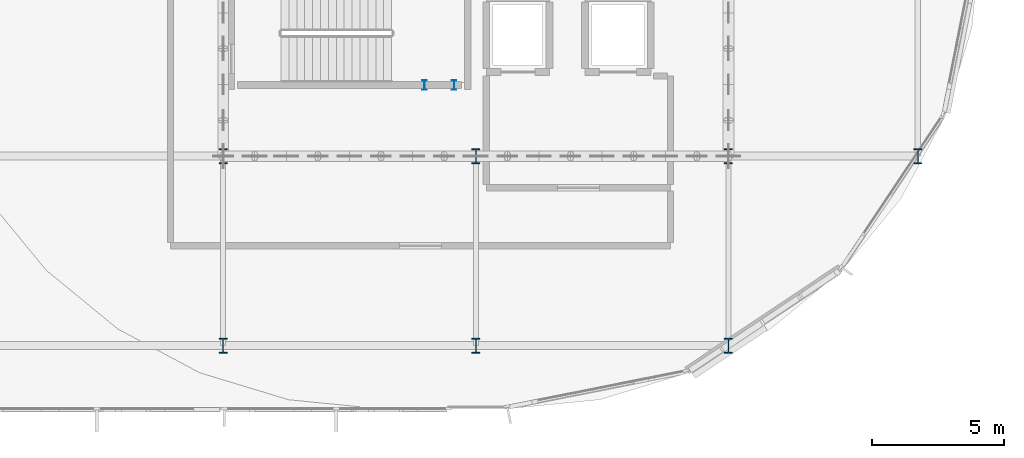
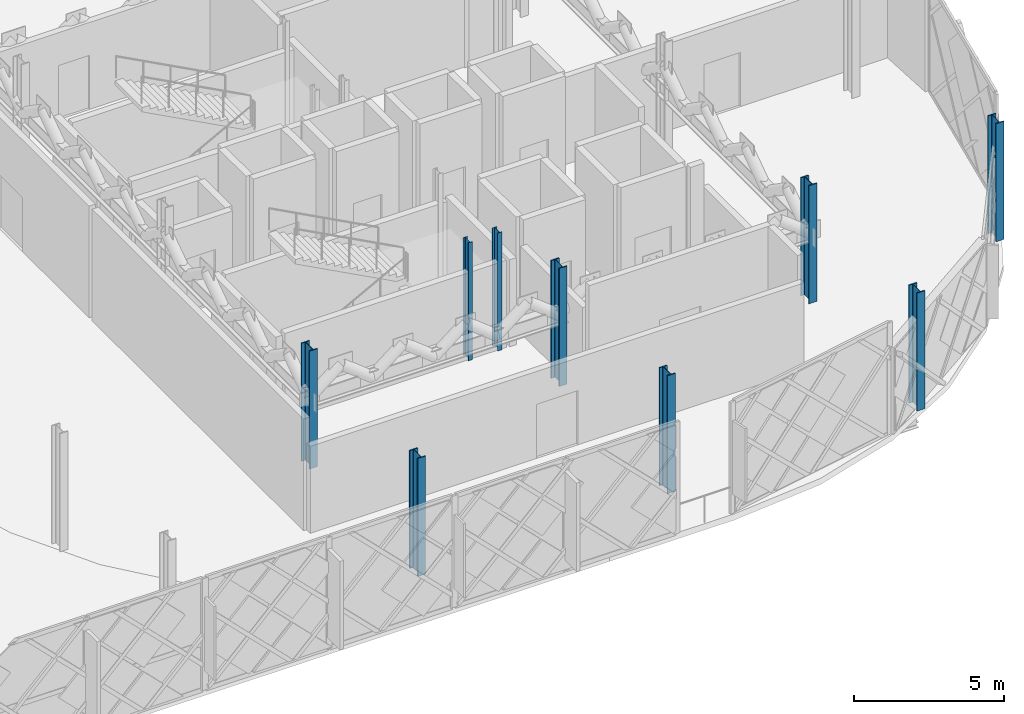
# One storey, part 14 of 77: 9 columns.
"""IFC4 building model written with IfcOpenShell, lengths in metres."""

from ifc_helpers import new_model, si_unit, direction, frame, origin, origin_2d, place, context, subcontext, project, spatial, i_section, extrude, material, material_profile, profile_set, type_object, element, save


model = new_model("IFC4")

# Units and contexts
model_context = context("Model", 3, precision=1e-05, world=origin(), true_north=direction((0.0, 1.0)))
body_context = subcontext(model_context, "Body", "Model", "MODEL_VIEW")
ifc_project = project(units=[si_unit("LENGTHUNIT", "METRE"), si_unit("AREAUNIT", "SQUARE_METRE"), si_unit("VOLUMEUNIT", "CUBIC_METRE"), si_unit("PLANEANGLEUNIT", "RADIAN"), si_unit("MASSUNIT", "GRAM", prefix="KILO")], contexts=[model_context])

# Site, building, storey
site_placement = place(None, origin())
site = spatial("IfcSite", under=ifc_project, at=site_placement, CompositionType="ELEMENT")
building_placement = place(site_placement, origin())
building = spatial("IfcBuilding", under=site, at=building_placement, Name="Zevrakil Square Congress Hotel", CompositionType="ELEMENT")
storey_placement = place(building_placement, frame((0.0, 0.0, 9.89990234375)))
storey = spatial("IfcBuildingStorey", under=building, at=storey_placement, Name="L03", CompositionType="ELEMENT", Elevation=9.89990234375)

# Columns
ifc_material_1 = material(Name="Steel S355", Category="steel")
ifc_material_profile_1 = material_profile(ifc_material_1, i_section(OverallWidth=0.305908203125, OverallDepth=0.572021484375, WebThickness=0.02099609375, FlangeThickness=0.0400390625, FilletRadius=0.027099609375, at=origin_2d()), Name="HEM 550")
ifc_profile_set_1 = profile_set([ifc_material_profile_1], Name="Steel S355")
column_type_1 = type_object("IfcColumnType", Name="COL-HEM550", PredefinedType="COLUMN", material=ifc_profile_set_1)
for number, where, z_axis, x_axis, name in (
    (1, (136.800048828125, 9.60009765625, 0.0), (0.0, 0.0, 1.0), (1.0, 0.0, 0.0), "L03 column C-205"),
    (2, (136.800048828125, 16.800048828125, 0.0), (0.0, 0.0, 1.0), (1.0, 0.0, 0.0), "L03 column C-206"),
    (3, (146.39990234375, 9.60009765625, 0.0), (0.0, 0.0, 1.0), (1.0, 0.0, 0.0), "L03 column C-214"),
    (4, (146.39990234375, 16.800048828125, 0.0), (0.0, 0.0, 1.0), (1.0, 0.0, 0.0), "L03 column C-215"),
    (5, (156.0, 9.60009765625, 0.0), (0.0, 0.0, 1.0), (1.0, 0.0, 0.0), "L03 column C-221"),
    (6, (156.0, 16.800048828125, 0.0), (0.0, 0.0, 1.0), (1.0, 0.0, 0.0), "L03 column C-222"),
    (7, (163.199951171875, 16.800048828125, 0.0), (0.0, 0.0, 1.0), (1.0, 0.0, 0.0), "L03 column C-230"),
):
    element("IfcColumn", number, at=place(storey_placement, frame(where, z_axis=z_axis, x_axis=x_axis)), inside=storey, type_object=column_type_1, Name=name, PredefinedType="COLUMN", context=body_context, shape_type="SweptSolid", body=[
        extrude(i_section(OverallWidth=0.305908203125, OverallDepth=0.572021484375, WebThickness=0.02099609375, FlangeThickness=0.0400390625, FilletRadius=0.027099609375, at=origin_2d()), origin(), (0.0, 0.0, 1.0), 4.800048828125),
    ])
ifc_material_2 = material(Name="Steel S355", Category="steel")
ifc_material_profile_2 = material_profile(ifc_material_2, i_section(OverallWidth=0.169921875, OverallDepth=0.360107421875, WebThickness=0.008056640625, FlangeThickness=0.0126953125, FilletRadius=0.01806640625, at=origin_2d()), Name="IPE 360")
ifc_profile_set_2 = profile_set([ifc_material_profile_2], Name="Steel S355")
column_type_2 = type_object("IfcColumnType", Name="COL-PILASTER-SHS180", PredefinedType="PILASTER", material=ifc_profile_set_2)
for number, where, z_axis, x_axis, name in (
    (8, (144.449951171875, 19.5, 0.0), (0.0, 0.0, 1.0), (1.0, 0.0, 0.0), "L03 ST01 stair shaft post 1"),
    (9, (145.580078125, 19.5, 0.0), (0.0, 0.0, 1.0), (1.0, 0.0, 0.0), "L03 ST01 stair shaft post 2"),
):
    element("IfcColumn", number, at=place(storey_placement, frame(where, z_axis=z_axis, x_axis=x_axis)), inside=storey, type_object=column_type_2, Name=name, PredefinedType="PILASTER", context=body_context, shape_type="SweptSolid", body=[
        extrude(i_section(OverallWidth=0.169921875, OverallDepth=0.360107421875, WebThickness=0.008056640625, FlangeThickness=0.0126953125, FilletRadius=0.01806640625, at=origin_2d()), origin(), (0.0, 0.0, 1.0), 4.800048828125),
    ])

save(model, "model.ifc")
